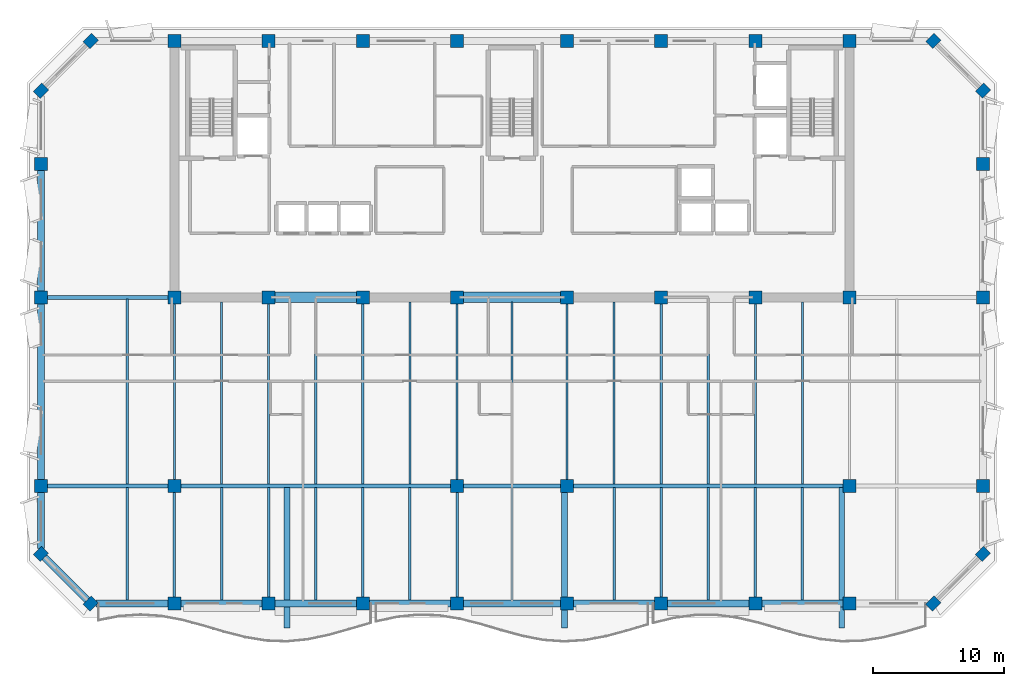
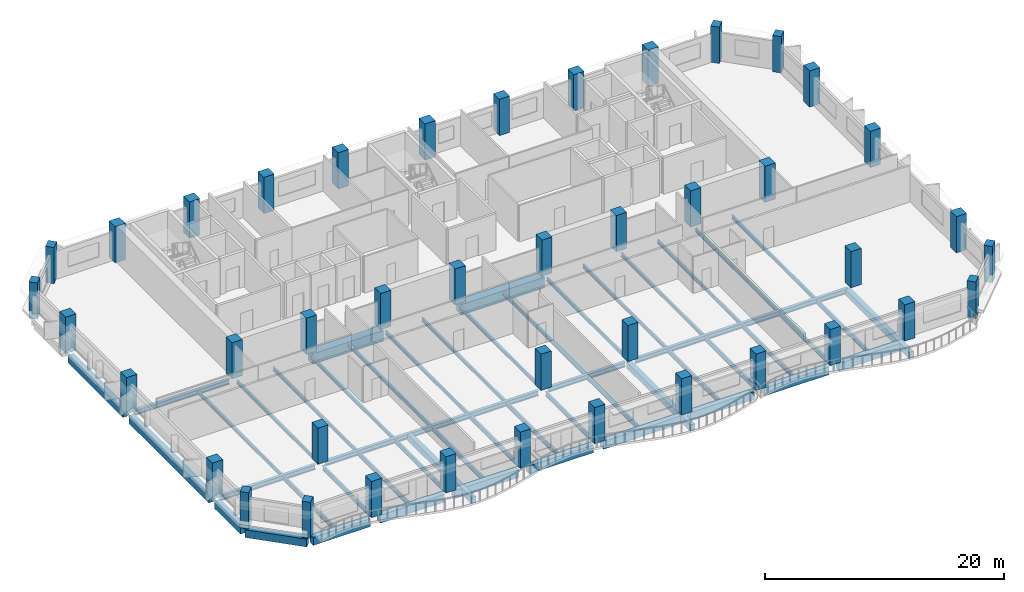
# One storey, part 1 of 11: 51 beams, 42 columns.
"""IFC4 building model written with IfcOpenShell, lengths in metres."""

from ifc_helpers import new_model, si_unit, direction, frame, origin, origin_2d, place, context, subcontext, project, spatial, rectangle, i_section, extrude, material, material_profile, profile_set, type_object, element, save


model = new_model("IFC4")

# Units and contexts
model_context = context("Model", 3, precision=1e-05, world=origin(), true_north=direction((0.0, 1.0)))
body_context = subcontext(model_context, "Body", "Model", "MODEL_VIEW")
ifc_project = project(units=[si_unit("LENGTHUNIT", "METRE"), si_unit("AREAUNIT", "SQUARE_METRE"), si_unit("VOLUMEUNIT", "CUBIC_METRE"), si_unit("PLANEANGLEUNIT", "RADIAN"), si_unit("MASSUNIT", "GRAM", prefix="KILO")], contexts=[model_context])

# Site, building, storey
site_placement = place(None, origin())
site = spatial("IfcSite", under=ifc_project, at=site_placement, CompositionType="ELEMENT")
building_placement = place(site_placement, origin())
building = spatial("IfcBuilding", under=site, at=building_placement, Name="Kaelvorn Grand Hotel", CompositionType="ELEMENT")
storey_placement = place(building_placement, frame((0.0, 0.0, 268.64990234375)))
storey = spatial("IfcBuildingStorey", under=building, at=storey_placement, Name="L66", CompositionType="ELEMENT", Elevation=268.64990234375)

# Columns
ifc_material_1 = material(Name="Concrete C60/75", Category="concrete")
ifc_material_profile_1 = material_profile(ifc_material_1, rectangle(XDim=0.89990234375, YDim=0.75, at=origin_2d()), Name="RC PILASTER 900x750")
ifc_profile_set_1 = profile_set([ifc_material_profile_1], Name="Concrete C60/75")
column_type_1 = type_object("IfcColumnType", Name="COL-PIL-900x750-C60", PredefinedType="PILASTER", material=ifc_profile_set_1)
for number, where, z_axis, x_axis, name in (
    (1, (9.800048828125, 6.0, 0.0), (0.0, 0.0, 1.0), (0.707106781187, 0.707106781187, 0.0), "L66 Structural Column CH-01"),
    (2, (74.199951171875, 6.0, 0.0), (0.0, 0.0, 1.0), (0.707106781187, 0.707106781187, 0.0), "L66 Structural Column CH-02"),
    (3, (78.0, 9.800048828125, 0.0), (0.0, 0.0, 1.0), (0.707106781187, 0.707106781187, 0.0), "L66 Structural Column CH-03"),
    (4, (78.0, 45.199951171875, 0.0), (0.0, 0.0, 1.0), (0.707106781187, 0.707106781187, 0.0), "L66 Structural Column CH-04"),
    (5, (74.199951171875, 49.0, 0.0), (0.0, 0.0, 1.0), (0.707106781187, 0.707106781187, 0.0), "L66 Structural Column CH-05"),
    (6, (9.800048828125, 49.0, 0.0), (0.0, 0.0, 1.0), (0.707106781187, 0.707106781187, 0.0), "L66 Structural Column CH-06"),
    (7, (6.0, 45.199951171875, 0.0), (0.0, 0.0, 1.0), (0.707106781187, 0.707106781187, 0.0), "L66 Structural Column CH-07"),
    (8, (6.0, 9.800048828125, 0.0), (0.0, 0.0, 1.0), (0.707106781187, 0.707106781187, 0.0), "L66 Structural Column CH-08"),
):
    element("IfcColumn", number, at=place(storey_placement, frame(where, z_axis=z_axis, x_axis=x_axis)), inside=storey, type_object=column_type_1, Name=name, PredefinedType="PILASTER", context=body_context, shape_type="SweptSolid", body=[
        extrude(rectangle(XDim=0.89990234375, YDim=0.75, at=origin_2d()), origin(), (0.0, 0.0, 1.0), 3.710205078125),
    ])
ifc_material_2 = material(Name="Concrete C50/60", Category="concrete")
ifc_material_profile_2 = material_profile(ifc_material_2, rectangle(XDim=1.0, YDim=1.0, at=origin_2d()), Name="RC COL 1000x1000")
ifc_profile_set_2 = profile_set([ifc_material_profile_2], Name="Concrete C50/60")
column_type_2 = type_object("IfcColumnType", Name="COL-RC-1000-C50", PredefinedType="COLUMN", material=ifc_profile_set_2)
for number, where, z_axis, x_axis, name in (
    (9, (16.199951171875, 6.0, 0.0), (0.0, 0.0, 1.0), (1.0, 0.0, 0.0), "L66 Structural Column S-01"),
    (10, (23.39990234375, 6.0, 0.0), (0.0, 0.0, 1.0), (1.0, 0.0, 0.0), "L66 Structural Column S-02"),
    (11, (30.60009765625, 6.0, 0.0), (0.0, 0.0, 1.0), (1.0, 0.0, 0.0), "L66 Structural Column S-03"),
    (12, (37.800048828125, 6.0, 0.0), (0.0, 0.0, 1.0), (1.0, 0.0, 0.0), "L66 Structural Column S-04"),
    (13, (46.199951171875, 6.0, 0.0), (0.0, 0.0, 1.0), (1.0, 0.0, 0.0), "L66 Structural Column S-05"),
    (14, (53.39990234375, 6.0, 0.0), (0.0, 0.0, 1.0), (1.0, 0.0, 0.0), "L66 Structural Column S-06"),
    (15, (60.60009765625, 6.0, 0.0), (0.0, 0.0, 1.0), (1.0, 0.0, 0.0), "L66 Structural Column S-07"),
    (16, (67.800048828125, 6.0, 0.0), (0.0, 0.0, 1.0), (1.0, 0.0, 0.0), "L66 Structural Column S-08"),
    (17, (6.0, 15.0, 0.0), (0.0, 0.0, 1.0), (1.0, 0.0, 0.0), "L66 Structural Column W-01"),
    (18, (78.0, 15.0, 0.0), (0.0, 0.0, 1.0), (1.0, 0.0, 0.0), "L66 Structural Column E-01"),
    (19, (6.0, 29.39990234375, 0.0), (0.0, 0.0, 1.0), (1.0, 0.0, 0.0), "L66 Structural Column W-02"),
    (20, (78.0, 29.39990234375, 0.0), (0.0, 0.0, 1.0), (1.0, 0.0, 0.0), "L66 Structural Column E-02"),
    (21, (6.0, 39.60009765625, 0.0), (0.0, 0.0, 1.0), (1.0, 0.0, 0.0), "L66 Structural Column W-03"),
    (22, (78.0, 39.60009765625, 0.0), (0.0, 0.0, 1.0), (1.0, 0.0, 0.0), "L66 Structural Column E-03"),
    (23, (16.199951171875, 15.0, 0.0), (0.0, 0.0, 1.0), (1.0, 0.0, 0.0), "L66 Structural Column M-01"),
    (24, (37.800048828125, 15.0, 0.0), (0.0, 0.0, 1.0), (1.0, 0.0, 0.0), "L66 Structural Column M-02"),
    (25, (46.199951171875, 15.0, 0.0), (0.0, 0.0, 1.0), (1.0, 0.0, 0.0), "L66 Structural Column M-03"),
    (26, (67.800048828125, 15.0, 0.0), (0.0, 0.0, 1.0), (1.0, 0.0, 0.0), "L66 Structural Column M-04"),
    (27, (16.199951171875, 29.39990234375, 0.0), (0.0, 0.0, 1.0), (1.0, 0.0, 0.0), "L66 Structural Column CR1-01"),
    (28, (16.199951171875, 49.0, 0.0), (0.0, 0.0, 1.0), (1.0, 0.0, 0.0), "L66 Structural Column CR2-01"),
    (29, (23.39990234375, 29.39990234375, 0.0), (0.0, 0.0, 1.0), (1.0, 0.0, 0.0), "L66 Structural Column CR1-02"),
    (30, (23.39990234375, 49.0, 0.0), (0.0, 0.0, 1.0), (1.0, 0.0, 0.0), "L66 Structural Column CR2-02"),
    (31, (30.60009765625, 29.39990234375, 0.0), (0.0, 0.0, 1.0), (1.0, 0.0, 0.0), "L66 Structural Column CR1-03"),
    (32, (30.60009765625, 49.0, 0.0), (0.0, 0.0, 1.0), (1.0, 0.0, 0.0), "L66 Structural Column CR2-03"),
    (33, (37.800048828125, 29.39990234375, 0.0), (0.0, 0.0, 1.0), (1.0, 0.0, 0.0), "L66 Structural Column CR1-04"),
    (34, (37.800048828125, 49.0, 0.0), (0.0, 0.0, 1.0), (1.0, 0.0, 0.0), "L66 Structural Column CR2-04"),
    (35, (46.199951171875, 29.39990234375, 0.0), (0.0, 0.0, 1.0), (1.0, 0.0, 0.0), "L66 Structural Column CR1-05"),
    (36, (46.199951171875, 49.0, 0.0), (0.0, 0.0, 1.0), (1.0, 0.0, 0.0), "L66 Structural Column CR2-05"),
    (37, (53.39990234375, 29.39990234375, 0.0), (0.0, 0.0, 1.0), (1.0, 0.0, 0.0), "L66 Structural Column CR1-06"),
    (38, (53.39990234375, 49.0, 0.0), (0.0, 0.0, 1.0), (1.0, 0.0, 0.0), "L66 Structural Column CR2-06"),
    (39, (60.60009765625, 29.39990234375, 0.0), (0.0, 0.0, 1.0), (1.0, 0.0, 0.0), "L66 Structural Column CR1-07"),
    (40, (60.60009765625, 49.0, 0.0), (0.0, 0.0, 1.0), (1.0, 0.0, 0.0), "L66 Structural Column CR2-07"),
    (41, (67.800048828125, 29.39990234375, 0.0), (0.0, 0.0, 1.0), (1.0, 0.0, 0.0), "L66 Structural Column CR1-08"),
    (42, (67.800048828125, 49.0, 0.0), (0.0, 0.0, 1.0), (1.0, 0.0, 0.0), "L66 Structural Column CR2-08"),
):
    element("IfcColumn", number, at=place(storey_placement, frame(where, z_axis=z_axis, x_axis=x_axis)), inside=storey, type_object=column_type_2, Name=name, PredefinedType="COLUMN", context=body_context, shape_type="SweptSolid", body=[
        extrude(rectangle(XDim=1.0, YDim=1.0, at=origin_2d()), origin(), (0.0, 0.0, 1.0), 3.710205078125),
    ])

# Beams
ifc_material_3 = material(Name="Steel S355", Category="steel")
ifc_material_profile_3 = material_profile(ifc_material_3, i_section(OverallWidth=0.300048828125, OverallDepth=0.5, WebThickness=0.014404296875, FlangeThickness=0.028076171875, FilletRadius=0.027099609375, at=origin_2d()), Name="HEB 500")
ifc_profile_set_3 = profile_set([ifc_material_profile_3], Name="Steel S355")
beam_type_1 = type_object("IfcBeamType", Name="BM-G-HEB500-S355", PredefinedType="BEAM", material=ifc_profile_set_3)
beam_1_placement = place(storey_placement, frame((6.485107421875, 15.0, -0.489990234375), z_axis=(1.0, 0.0, 0.0), x_axis=(0.0, 1.0, 0.0)))
element("IfcBeam", 43, at=beam_1_placement, inside=storey, type_object=beam_type_1, Name="L66 Primary Spine Steel Girder G-15 01", PredefinedType="BEAM", context=body_context, shape_type="SweptSolid", body=[
    extrude(i_section(OverallWidth=0.300048828125, OverallDepth=0.5, WebThickness=0.014404296875, FlangeThickness=0.028076171875, FilletRadius=0.027099609375, at=origin_2d()), origin(), (0.0, 0.0, 1.0), 9.22998046875),
])
beam_2_placement = place(storey_placement, frame((16.68505859375, 15.0, -0.489990234375), z_axis=(1.0, 0.0, 0.0), x_axis=(0.0, 1.0, 0.0)))
element("IfcBeam", 44, at=beam_2_placement, inside=storey, type_object=beam_type_1, Name="L66 Primary Spine Steel Girder G-15 02", PredefinedType="BEAM", context=body_context, shape_type="SweptSolid", body=[
    extrude(i_section(OverallWidth=0.300048828125, OverallDepth=0.5, WebThickness=0.014404296875, FlangeThickness=0.028076171875, FilletRadius=0.027099609375, at=origin_2d()), origin(), (0.0, 0.0, 1.0), 20.6298828125),
])
beam_3_placement = place(storey_placement, frame((38.284912109375, 15.0, -0.489990234375), z_axis=(1.0, 0.0, 0.0), x_axis=(0.0, 1.0, 0.0)))
element("IfcBeam", 45, at=beam_3_placement, inside=storey, type_object=beam_type_1, Name="L66 Primary Spine Steel Girder G-15 03", PredefinedType="BEAM", context=body_context, shape_type="SweptSolid", body=[
    extrude(i_section(OverallWidth=0.300048828125, OverallDepth=0.5, WebThickness=0.014404296875, FlangeThickness=0.028076171875, FilletRadius=0.027099609375, at=origin_2d()), origin(), (0.0, 0.0, 1.0), 7.43017578125),
])
beam_4_placement = place(storey_placement, frame((46.68505859375, 15.0, -0.489990234375), z_axis=(1.0, 0.0, 0.0), x_axis=(0.0, 1.0, 0.0)))
element("IfcBeam", 46, at=beam_4_placement, inside=storey, type_object=beam_type_1, Name="L66 Primary Spine Steel Girder G-15 04", PredefinedType="BEAM", context=body_context, shape_type="SweptSolid", body=[
    extrude(i_section(OverallWidth=0.300048828125, OverallDepth=0.5, WebThickness=0.014404296875, FlangeThickness=0.028076171875, FilletRadius=0.027099609375, at=origin_2d()), origin(), (0.0, 0.0, 1.0), 20.6298828125),
])
beam_5_placement = place(storey_placement, frame((6.485107421875, 29.39990234375, -0.489990234375), z_axis=(1.0, 0.0, 0.0), x_axis=(0.0, 1.0, 0.0)))
element("IfcBeam", 47, at=beam_5_placement, inside=storey, type_object=beam_type_1, Name="L66 West Core Wing Steel Girder G-29W 01", PredefinedType="BEAM", context=body_context, shape_type="SweptSolid", body=[
    extrude(i_section(OverallWidth=0.300048828125, OverallDepth=0.5, WebThickness=0.014404296875, FlangeThickness=0.028076171875, FilletRadius=0.027099609375, at=origin_2d()), origin(), (0.0, 0.0, 1.0), 9.22998046875),
])
ifc_material_profile_4 = material_profile(ifc_material_3, i_section(OverallWidth=0.169921875, OverallDepth=0.360107421875, WebThickness=0.008056640625, FlangeThickness=0.0126953125, FilletRadius=0.01806640625, at=origin_2d()), Name="IPE 360")
ifc_profile_set_4 = profile_set([ifc_material_profile_4], Name="Steel S355")
beam_type_2 = type_object("IfcBeamType", Name="BM-J-IPE360-S355", PredefinedType="JOIST", material=ifc_profile_set_4)
beam_6_placement = place(storey_placement, frame((12.60009765625, 15.135009765625, -0.419921875), z_axis=(0.0, 1.0, 0.0), x_axis=(-1.0, 0.0, 0.0)))
element("IfcBeam", 48, at=beam_6_placement, inside=storey, type_object=beam_type_2, Name="L66 Composite Floor Joist JM-04", PredefinedType="JOIST", context=body_context, shape_type="SweptSolid", body=[
    extrude(i_section(OverallWidth=0.169921875, OverallDepth=0.360107421875, WebThickness=0.008056640625, FlangeThickness=0.0126953125, FilletRadius=0.01806640625, at=origin_2d()), origin(), (0.0, 0.0, 1.0), 14.1298828125),
])
beam_7_placement = place(storey_placement, frame((16.199951171875, 15.485107421875, -0.419921875), z_axis=(0.0, 1.0, 0.0), x_axis=(-1.0, 0.0, 0.0)))
element("IfcBeam", 49, at=beam_7_placement, inside=storey, type_object=beam_type_2, Name="L66 Composite Floor Joist JM-05", PredefinedType="JOIST", context=body_context, shape_type="SweptSolid", body=[
    extrude(i_section(OverallWidth=0.169921875, OverallDepth=0.360107421875, WebThickness=0.008056640625, FlangeThickness=0.0126953125, FilletRadius=0.01806640625, at=origin_2d()), origin(), (0.0, 0.0, 1.0), 13.429931640625),
])
beam_8_placement = place(storey_placement, frame((19.800048828125, 15.135009765625, -0.419921875), z_axis=(0.0, 1.0, 0.0), x_axis=(-1.0, 0.0, 0.0)))
element("IfcBeam", 50, at=beam_8_placement, inside=storey, type_object=beam_type_2, Name="L66 Composite Floor Joist JM-06", PredefinedType="JOIST", context=body_context, shape_type="SweptSolid", body=[
    extrude(i_section(OverallWidth=0.169921875, OverallDepth=0.360107421875, WebThickness=0.008056640625, FlangeThickness=0.0126953125, FilletRadius=0.01806640625, at=origin_2d()), origin(), (0.0, 0.0, 1.0), 13.925048828125),
])
beam_9_placement = place(storey_placement, frame((23.39990234375, 15.135009765625, -0.419921875), z_axis=(0.0, 1.0, 0.0), x_axis=(-1.0, 0.0, 0.0)))
element("IfcBeam", 51, at=beam_9_placement, inside=storey, type_object=beam_type_2, Name="L66 Composite Floor Joist JM-07", PredefinedType="JOIST", context=body_context, shape_type="SweptSolid", body=[
    extrude(i_section(OverallWidth=0.169921875, OverallDepth=0.360107421875, WebThickness=0.008056640625, FlangeThickness=0.0126953125, FilletRadius=0.01806640625, at=origin_2d()), origin(), (0.0, 0.0, 1.0), 13.780029296875),
])
beam_10_placement = place(storey_placement, frame((27.0, 15.135009765625, -0.419921875), z_axis=(0.0, 1.0, 0.0), x_axis=(-1.0, 0.0, 0.0)))
element("IfcBeam", 52, at=beam_10_placement, inside=storey, type_object=beam_type_2, Name="L66 Composite Floor Joist JM-08", PredefinedType="JOIST", context=body_context, shape_type="SweptSolid", body=[
    extrude(i_section(OverallWidth=0.169921875, OverallDepth=0.360107421875, WebThickness=0.008056640625, FlangeThickness=0.0126953125, FilletRadius=0.01806640625, at=origin_2d()), origin(), (0.0, 0.0, 1.0), 13.925048828125),
])
beam_11_placement = place(storey_placement, frame((30.60009765625, 15.135009765625, -0.419921875), z_axis=(0.0, 1.0, 0.0), x_axis=(-1.0, 0.0, 0.0)))
element("IfcBeam", 53, at=beam_11_placement, inside=storey, type_object=beam_type_2, Name="L66 Composite Floor Joist JM-09", PredefinedType="JOIST", context=body_context, shape_type="SweptSolid", body=[
    extrude(i_section(OverallWidth=0.169921875, OverallDepth=0.360107421875, WebThickness=0.008056640625, FlangeThickness=0.0126953125, FilletRadius=0.01806640625, at=origin_2d()), origin(), (0.0, 0.0, 1.0), 13.780029296875),
])
beam_12_placement = place(storey_placement, frame((34.199951171875, 15.135009765625, -0.419921875), z_axis=(0.0, 1.0, 0.0), x_axis=(-1.0, 0.0, 0.0)))
element("IfcBeam", 54, at=beam_12_placement, inside=storey, type_object=beam_type_2, Name="L66 Composite Floor Joist JM-10", PredefinedType="JOIST", context=body_context, shape_type="SweptSolid", body=[
    extrude(i_section(OverallWidth=0.169921875, OverallDepth=0.360107421875, WebThickness=0.008056640625, FlangeThickness=0.0126953125, FilletRadius=0.01806640625, at=origin_2d()), origin(), (0.0, 0.0, 1.0), 13.925048828125),
])
beam_13_placement = place(storey_placement, frame((37.800048828125, 15.485107421875, -0.419921875), z_axis=(0.0, 1.0, 0.0), x_axis=(-1.0, 0.0, 0.0)))
element("IfcBeam", 55, at=beam_13_placement, inside=storey, type_object=beam_type_2, Name="L66 Composite Floor Joist JM-11", PredefinedType="JOIST", context=body_context, shape_type="SweptSolid", body=[
    extrude(i_section(OverallWidth=0.169921875, OverallDepth=0.360107421875, WebThickness=0.008056640625, FlangeThickness=0.0126953125, FilletRadius=0.01806640625, at=origin_2d()), origin(), (0.0, 0.0, 1.0), 13.429931640625),
])
beam_14_placement = place(storey_placement, frame((42.0, 15.135009765625, -0.419921875), z_axis=(0.0, 1.0, 0.0), x_axis=(-1.0, 0.0, 0.0)))
element("IfcBeam", 56, at=beam_14_placement, inside=storey, type_object=beam_type_2, Name="L66 Composite Floor Joist JM-12", PredefinedType="JOIST", context=body_context, shape_type="SweptSolid", body=[
    extrude(i_section(OverallWidth=0.169921875, OverallDepth=0.360107421875, WebThickness=0.008056640625, FlangeThickness=0.0126953125, FilletRadius=0.01806640625, at=origin_2d()), origin(), (0.0, 0.0, 1.0), 13.925048828125),
])
beam_15_placement = place(storey_placement, frame((46.199951171875, 15.485107421875, -0.419921875), z_axis=(0.0, 1.0, 0.0), x_axis=(-1.0, 0.0, 0.0)))
element("IfcBeam", 57, at=beam_15_placement, inside=storey, type_object=beam_type_2, Name="L66 Composite Floor Joist JM-13", PredefinedType="JOIST", context=body_context, shape_type="SweptSolid", body=[
    extrude(i_section(OverallWidth=0.169921875, OverallDepth=0.360107421875, WebThickness=0.008056640625, FlangeThickness=0.0126953125, FilletRadius=0.01806640625, at=origin_2d()), origin(), (0.0, 0.0, 1.0), 13.429931640625),
])
beam_16_placement = place(storey_placement, frame((49.800048828125, 15.135009765625, -0.419921875), z_axis=(0.0, 1.0, 0.0), x_axis=(-1.0, 0.0, 0.0)))
element("IfcBeam", 58, at=beam_16_placement, inside=storey, type_object=beam_type_2, Name="L66 Composite Floor Joist JM-14", PredefinedType="JOIST", context=body_context, shape_type="SweptSolid", body=[
    extrude(i_section(OverallWidth=0.169921875, OverallDepth=0.360107421875, WebThickness=0.008056640625, FlangeThickness=0.0126953125, FilletRadius=0.01806640625, at=origin_2d()), origin(), (0.0, 0.0, 1.0), 13.925048828125),
])
beam_17_placement = place(storey_placement, frame((53.39990234375, 15.135009765625, -0.419921875), z_axis=(0.0, 1.0, 0.0), x_axis=(-1.0, 0.0, 0.0)))
element("IfcBeam", 59, at=beam_17_placement, inside=storey, type_object=beam_type_2, Name="L66 Composite Floor Joist JM-15", PredefinedType="JOIST", context=body_context, shape_type="SweptSolid", body=[
    extrude(i_section(OverallWidth=0.169921875, OverallDepth=0.360107421875, WebThickness=0.008056640625, FlangeThickness=0.0126953125, FilletRadius=0.01806640625, at=origin_2d()), origin(), (0.0, 0.0, 1.0), 13.780029296875),
])
beam_18_placement = place(storey_placement, frame((57.0, 15.135009765625, -0.419921875), z_axis=(0.0, 1.0, 0.0), x_axis=(-1.0, 0.0, 0.0)))
element("IfcBeam", 60, at=beam_18_placement, inside=storey, type_object=beam_type_2, Name="L66 Composite Floor Joist JM-16", PredefinedType="JOIST", context=body_context, shape_type="SweptSolid", body=[
    extrude(i_section(OverallWidth=0.169921875, OverallDepth=0.360107421875, WebThickness=0.008056640625, FlangeThickness=0.0126953125, FilletRadius=0.01806640625, at=origin_2d()), origin(), (0.0, 0.0, 1.0), 13.925048828125),
])
beam_19_placement = place(storey_placement, frame((60.60009765625, 15.135009765625, -0.419921875), z_axis=(0.0, 1.0, 0.0), x_axis=(-1.0, 0.0, 0.0)))
element("IfcBeam", 61, at=beam_19_placement, inside=storey, type_object=beam_type_2, Name="L66 Composite Floor Joist JM-17", PredefinedType="JOIST", context=body_context, shape_type="SweptSolid", body=[
    extrude(i_section(OverallWidth=0.169921875, OverallDepth=0.360107421875, WebThickness=0.008056640625, FlangeThickness=0.0126953125, FilletRadius=0.01806640625, at=origin_2d()), origin(), (0.0, 0.0, 1.0), 13.780029296875),
])
beam_20_placement = place(storey_placement, frame((64.199951171875, 15.135009765625, -0.419921875), z_axis=(0.0, 1.0, 0.0), x_axis=(-1.0, 0.0, 0.0)))
element("IfcBeam", 62, at=beam_20_placement, inside=storey, type_object=beam_type_2, Name="L66 Composite Floor Joist JM-18", PredefinedType="JOIST", context=body_context, shape_type="SweptSolid", body=[
    extrude(i_section(OverallWidth=0.169921875, OverallDepth=0.360107421875, WebThickness=0.008056640625, FlangeThickness=0.0126953125, FilletRadius=0.01806640625, at=origin_2d()), origin(), (0.0, 0.0, 1.0), 13.925048828125),
])
ifc_material_profile_5 = material_profile(ifc_material_3, i_section(OverallWidth=0.18994140625, OverallDepth=0.449951171875, WebThickness=0.009521484375, FlangeThickness=0.0146484375, FilletRadius=0.02099609375, at=origin_2d()), Name="IPE 450")
ifc_profile_set_5 = profile_set([ifc_material_profile_5], Name="Steel S355")
beam_type_3 = type_object("IfcBeamType", Name="BM-J-IPE450-S355", PredefinedType="JOIST", material=ifc_profile_set_5)
beam_21_placement = place(storey_placement, frame((12.60009765625, 6.260009765625, -0.46484375), z_axis=(0.0, 1.0, 0.0), x_axis=(-1.0, 0.0, 0.0)))
element("IfcBeam", 63, at=beam_21_placement, inside=storey, type_object=beam_type_3, Name="L66 Composite Floor Joist JS-04", PredefinedType="JOIST", context=body_context, shape_type="SweptSolid", body=[
    extrude(i_section(OverallWidth=0.18994140625, OverallDepth=0.449951171875, WebThickness=0.009521484375, FlangeThickness=0.0146484375, FilletRadius=0.02099609375, at=origin_2d()), origin(), (0.0, 0.0, 1.0), 8.60498046875),
])
beam_22_placement = place(storey_placement, frame((16.199951171875, 6.485107421875, -0.46484375), z_axis=(0.0, 1.0, 0.0), x_axis=(-1.0, 0.0, 0.0)))
element("IfcBeam", 64, at=beam_22_placement, inside=storey, type_object=beam_type_3, Name="L66 Composite Floor Joist JS-05", PredefinedType="JOIST", context=body_context, shape_type="SweptSolid", body=[
    extrude(i_section(OverallWidth=0.18994140625, OverallDepth=0.449951171875, WebThickness=0.009521484375, FlangeThickness=0.0146484375, FilletRadius=0.02099609375, at=origin_2d()), origin(), (0.0, 0.0, 1.0), 8.02978515625),
])
beam_23_placement = place(storey_placement, frame((19.800048828125, 6.260009765625, -0.46484375), z_axis=(0.0, 1.0, 0.0), x_axis=(-1.0, 0.0, 0.0)))
element("IfcBeam", 65, at=beam_23_placement, inside=storey, type_object=beam_type_3, Name="L66 Composite Floor Joist JS-06", PredefinedType="JOIST", context=body_context, shape_type="SweptSolid", body=[
    extrude(i_section(OverallWidth=0.18994140625, OverallDepth=0.449951171875, WebThickness=0.009521484375, FlangeThickness=0.0146484375, FilletRadius=0.02099609375, at=origin_2d()), origin(), (0.0, 0.0, 1.0), 8.60498046875),
])
beam_24_placement = place(storey_placement, frame((23.39990234375, 6.485107421875, -0.46484375), z_axis=(0.0, 1.0, 0.0), x_axis=(-1.0, 0.0, 0.0)))
element("IfcBeam", 66, at=beam_24_placement, inside=storey, type_object=beam_type_3, Name="L66 Composite Floor Joist JS-07", PredefinedType="JOIST", context=body_context, shape_type="SweptSolid", body=[
    extrude(i_section(OverallWidth=0.18994140625, OverallDepth=0.449951171875, WebThickness=0.009521484375, FlangeThickness=0.0146484375, FilletRadius=0.02099609375, at=origin_2d()), origin(), (0.0, 0.0, 1.0), 8.3798828125),
])
beam_25_placement = place(storey_placement, frame((27.0, 6.260009765625, -0.46484375), z_axis=(0.0, 1.0, 0.0), x_axis=(-1.0, 0.0, 0.0)))
element("IfcBeam", 67, at=beam_25_placement, inside=storey, type_object=beam_type_3, Name="L66 Composite Floor Joist JS-08", PredefinedType="JOIST", context=body_context, shape_type="SweptSolid", body=[
    extrude(i_section(OverallWidth=0.18994140625, OverallDepth=0.449951171875, WebThickness=0.009521484375, FlangeThickness=0.0146484375, FilletRadius=0.02099609375, at=origin_2d()), origin(), (0.0, 0.0, 1.0), 8.60498046875),
])
beam_26_placement = place(storey_placement, frame((30.60009765625, 6.485107421875, -0.46484375), z_axis=(0.0, 1.0, 0.0), x_axis=(-1.0, 0.0, 0.0)))
element("IfcBeam", 68, at=beam_26_placement, inside=storey, type_object=beam_type_3, Name="L66 Composite Floor Joist JS-09", PredefinedType="JOIST", context=body_context, shape_type="SweptSolid", body=[
    extrude(i_section(OverallWidth=0.18994140625, OverallDepth=0.449951171875, WebThickness=0.009521484375, FlangeThickness=0.0146484375, FilletRadius=0.02099609375, at=origin_2d()), origin(), (0.0, 0.0, 1.0), 8.3798828125),
])
beam_27_placement = place(storey_placement, frame((34.199951171875, 6.260009765625, -0.46484375), z_axis=(0.0, 1.0, 0.0), x_axis=(-1.0, 0.0, 0.0)))
element("IfcBeam", 69, at=beam_27_placement, inside=storey, type_object=beam_type_3, Name="L66 Composite Floor Joist JS-10", PredefinedType="JOIST", context=body_context, shape_type="SweptSolid", body=[
    extrude(i_section(OverallWidth=0.18994140625, OverallDepth=0.449951171875, WebThickness=0.009521484375, FlangeThickness=0.0146484375, FilletRadius=0.02099609375, at=origin_2d()), origin(), (0.0, 0.0, 1.0), 8.60498046875),
])
beam_28_placement = place(storey_placement, frame((37.800048828125, 6.485107421875, -0.46484375), z_axis=(0.0, 1.0, 0.0), x_axis=(-1.0, 0.0, 0.0)))
element("IfcBeam", 70, at=beam_28_placement, inside=storey, type_object=beam_type_3, Name="L66 Composite Floor Joist JS-11", PredefinedType="JOIST", context=body_context, shape_type="SweptSolid", body=[
    extrude(i_section(OverallWidth=0.18994140625, OverallDepth=0.449951171875, WebThickness=0.009521484375, FlangeThickness=0.0146484375, FilletRadius=0.02099609375, at=origin_2d()), origin(), (0.0, 0.0, 1.0), 8.02978515625),
])
for number, where, z_axis, x_axis, name in (
    (71, (42.0, 6.260009765625, -0.46484375), (0.0, 1.0, 0.0), (-1.0, 0.0, 0.0), "L66 Composite Floor Joist JS-12"),
    (72, (49.800048828125, 6.260009765625, -0.46484375), (0.0, 1.0, 0.0), (-1.0, 0.0, 0.0), "L66 Composite Floor Joist JS-14"),
):
    element("IfcBeam", number, at=place(storey_placement, frame(where, z_axis=z_axis, x_axis=x_axis)), inside=storey, type_object=beam_type_3, Name=name, PredefinedType="JOIST", context=body_context, shape_type="SweptSolid", body=[
        extrude(i_section(OverallWidth=0.18994140625, OverallDepth=0.449951171875, WebThickness=0.009521484375, FlangeThickness=0.0146484375, FilletRadius=0.02099609375, at=origin_2d()), origin(), (0.0, 0.0, 1.0), 8.60498046875),
    ])
beam_29_placement = place(storey_placement, frame((53.39990234375, 6.485107421875, -0.46484375), z_axis=(0.0, 1.0, 0.0), x_axis=(-1.0, 0.0, 0.0)))
element("IfcBeam", 73, at=beam_29_placement, inside=storey, type_object=beam_type_3, Name="L66 Composite Floor Joist JS-15", PredefinedType="JOIST", context=body_context, shape_type="SweptSolid", body=[
    extrude(i_section(OverallWidth=0.18994140625, OverallDepth=0.449951171875, WebThickness=0.009521484375, FlangeThickness=0.0146484375, FilletRadius=0.02099609375, at=origin_2d()), origin(), (0.0, 0.0, 1.0), 8.3798828125),
])
beam_30_placement = place(storey_placement, frame((57.0, 6.260009765625, -0.46484375), z_axis=(0.0, 1.0, 0.0), x_axis=(-1.0, 0.0, 0.0)))
element("IfcBeam", 74, at=beam_30_placement, inside=storey, type_object=beam_type_3, Name="L66 Composite Floor Joist JS-16", PredefinedType="JOIST", context=body_context, shape_type="SweptSolid", body=[
    extrude(i_section(OverallWidth=0.18994140625, OverallDepth=0.449951171875, WebThickness=0.009521484375, FlangeThickness=0.0146484375, FilletRadius=0.02099609375, at=origin_2d()), origin(), (0.0, 0.0, 1.0), 8.60498046875),
])
beam_31_placement = place(storey_placement, frame((60.60009765625, 6.485107421875, -0.46484375), z_axis=(0.0, 1.0, 0.0), x_axis=(-1.0, 0.0, 0.0)))
element("IfcBeam", 75, at=beam_31_placement, inside=storey, type_object=beam_type_3, Name="L66 Composite Floor Joist JS-17", PredefinedType="JOIST", context=body_context, shape_type="SweptSolid", body=[
    extrude(i_section(OverallWidth=0.18994140625, OverallDepth=0.449951171875, WebThickness=0.009521484375, FlangeThickness=0.0146484375, FilletRadius=0.02099609375, at=origin_2d()), origin(), (0.0, 0.0, 1.0), 8.3798828125),
])
beam_32_placement = place(storey_placement, frame((64.199951171875, 6.260009765625, -0.46484375), z_axis=(0.0, 1.0, 0.0), x_axis=(-1.0, 0.0, 0.0)))
element("IfcBeam", 76, at=beam_32_placement, inside=storey, type_object=beam_type_3, Name="L66 Composite Floor Joist JS-18", PredefinedType="JOIST", context=body_context, shape_type="SweptSolid", body=[
    extrude(i_section(OverallWidth=0.18994140625, OverallDepth=0.449951171875, WebThickness=0.009521484375, FlangeThickness=0.0146484375, FilletRadius=0.02099609375, at=origin_2d()), origin(), (0.0, 0.0, 1.0), 8.60498046875),
])
ifc_material_profile_6 = material_profile(ifc_material_1, rectangle(XDim=0.800048828125, YDim=1.10009765625, at=origin_2d()), Name="RC LINTEL 800x1100")
ifc_profile_set_6 = profile_set([ifc_material_profile_6], Name="Concrete C60/75")
beam_type_4 = type_object("IfcBeamType", Name="BM-LIN-800x1100-C60", PredefinedType="LINTEL", material=ifc_profile_set_6)
beam_33_placement = place(storey_placement, frame((23.580078125, 29.39990234375, -0.789794921875), z_axis=(1.0, 0.0, 0.0), x_axis=(0.0, 1.0, 0.0)))
element("IfcBeam", 77, at=beam_33_placement, inside=storey, type_object=beam_type_4, Name="L66 Rear-Core Coupling Lintel Beam CB1-01", PredefinedType="LINTEL", context=body_context, shape_type="SweptSolid", body=[
    extrude(rectangle(XDim=0.800048828125, YDim=1.10009765625, at=origin_2d()), origin(), (0.0, 0.0, 1.0), 6.83984375),
])
beam_34_placement = place(storey_placement, frame((37.97998046875, 29.39990234375, -0.789794921875), z_axis=(1.0, 0.0, 0.0), x_axis=(0.0, 1.0, 0.0)))
element("IfcBeam", 78, at=beam_34_placement, inside=storey, type_object=beam_type_4, Name="L66 Rear-Core Coupling Lintel Beam CB1-02", PredefinedType="LINTEL", context=body_context, shape_type="SweptSolid", body=[
    extrude(rectangle(XDim=0.800048828125, YDim=1.10009765625, at=origin_2d()), origin(), (0.0, 0.0, 1.0), 8.0400390625),
])
ifc_material_4 = material(Name="Concrete C40/50", Category="concrete")
ifc_material_profile_7 = material_profile(ifc_material_4, rectangle(XDim=0.449951171875, YDim=0.64990234375, at=origin_2d()), Name="RC RIB 450x650")
ifc_profile_set_7 = profile_set([ifc_material_profile_7], Name="Concrete C40/50")
beam_type_5 = type_object("IfcBeamType", Name="BM-RIB-450x650-C40", PredefinedType="SPANDREL", material=ifc_profile_set_7)
for number, where, z_axis, x_axis, name in (
    (79, (24.800048828125, 4.14990234375, -0.544921875), (0.0, 1.0, 0.0), (-1.0, 0.0, 0.0), "L66 Cantilevered Balcony Back-Span Rib RB1-1"),
    (80, (46.0, 4.14990234375, -0.544921875), (0.0, 1.0, 0.0), (-1.0, 0.0, 0.0), "L66 Cantilevered Balcony Back-Span Rib RB1-2"),
    (81, (67.199951171875, 4.14990234375, -0.544921875), (0.0, 1.0, 0.0), (-1.0, 0.0, 0.0), "L66 Cantilevered Balcony Back-Span Rib RB1-3"),
):
    element("IfcBeam", number, at=place(storey_placement, frame(where, z_axis=z_axis, x_axis=x_axis)), inside=storey, type_object=beam_type_5, Name=name, PredefinedType="SPANDREL", context=body_context, shape_type="SweptSolid", body=[
        extrude(rectangle(XDim=0.449951171875, YDim=0.64990234375, at=origin_2d()), origin(), (0.0, 0.0, 1.0), 10.715087890625),
    ])
ifc_material_profile_8 = material_profile(ifc_material_2, rectangle(XDim=0.550048828125, YDim=0.800048828125, at=origin_2d()), Name="RC SPANDREL 550x800")
ifc_profile_set_8 = profile_set([ifc_material_profile_8], Name="Concrete C50/60")
beam_type_6 = type_object("IfcBeamType", Name="BM-SP-550x800-C50", PredefinedType="SPANDREL", material=ifc_profile_set_8)
beam_35_placement = place(storey_placement, frame((10.205078125, 6.0, -0.639892578125), z_axis=(1.0, 0.0, 0.0), x_axis=(0.0, 1.0, 0.0)))
element("IfcBeam", 82, at=beam_35_placement, inside=storey, type_object=beam_type_6, Name="L66 South Perimeter Spandrel 01", PredefinedType="SPANDREL", context=body_context, shape_type="SweptSolid", body=[
    extrude(rectangle(XDim=0.550048828125, YDim=0.800048828125, at=origin_2d()), origin(), (0.0, 0.0, 1.0), 5.510009765625),
])
for number, where, z_axis, x_axis, name in (
    (83, (16.68505859375, 6.0, -0.639892578125), (1.0, 0.0, 0.0), (0.0, 1.0, 0.0), "L66 South Perimeter Spandrel 02"),
    (84, (23.885009765625, 6.0, -0.639892578125), (1.0, 0.0, 0.0), (0.0, 1.0, 0.0), "L66 South Perimeter Spandrel 03"),
    (85, (31.0849609375, 6.0, -0.639892578125), (1.0, 0.0, 0.0), (0.0, 1.0, 0.0), "L66 South Perimeter Spandrel 04"),
):
    element("IfcBeam", number, at=place(storey_placement, frame(where, z_axis=z_axis, x_axis=x_axis)), inside=storey, type_object=beam_type_6, Name=name, PredefinedType="SPANDREL", context=body_context, shape_type="SweptSolid", body=[
        extrude(rectangle(XDim=0.550048828125, YDim=0.800048828125, at=origin_2d()), origin(), (0.0, 0.0, 1.0), 6.22998046875),
    ])
beam_36_placement = place(storey_placement, frame((38.284912109375, 6.0, -0.639892578125), z_axis=(1.0, 0.0, 0.0), x_axis=(0.0, 1.0, 0.0)))
element("IfcBeam", 86, at=beam_36_placement, inside=storey, type_object=beam_type_6, Name="L66 South Perimeter Spandrel 05", PredefinedType="SPANDREL", context=body_context, shape_type="SweptSolid", body=[
    extrude(rectangle(XDim=0.550048828125, YDim=0.800048828125, at=origin_2d()), origin(), (0.0, 0.0, 1.0), 7.43017578125),
])
for number, where, z_axis, x_axis, name in (
    (87, (46.68505859375, 6.0, -0.639892578125), (1.0, 0.0, 0.0), (0.0, 1.0, 0.0), "L66 South Perimeter Spandrel 06"),
    (88, (53.885009765625, 6.0, -0.639892578125), (1.0, 0.0, 0.0), (0.0, 1.0, 0.0), "L66 South Perimeter Spandrel 07"),
    (89, (61.0849609375, 6.0, -0.639892578125), (1.0, 0.0, 0.0), (0.0, 1.0, 0.0), "L66 South Perimeter Spandrel 08"),
):
    element("IfcBeam", number, at=place(storey_placement, frame(where, z_axis=z_axis, x_axis=x_axis)), inside=storey, type_object=beam_type_6, Name=name, PredefinedType="SPANDREL", context=body_context, shape_type="SweptSolid", body=[
        extrude(rectangle(XDim=0.550048828125, YDim=0.800048828125, at=origin_2d()), origin(), (0.0, 0.0, 1.0), 6.22998046875),
    ])
beam_37_placement = place(storey_placement, frame((6.0, 10.205078125, -0.639892578125), z_axis=(0.0, 1.0, 0.0), x_axis=(-1.0, 0.0, 0.0)))
element("IfcBeam", 90, at=beam_37_placement, inside=storey, type_object=beam_type_6, Name="L66 West Perimeter Spandrel 01", PredefinedType="SPANDREL", context=body_context, shape_type="SweptSolid", body=[
    extrude(rectangle(XDim=0.550048828125, YDim=0.800048828125, at=origin_2d()), origin(), (0.0, 0.0, 1.0), 4.309814453125),
])
beam_38_placement = place(storey_placement, frame((6.0, 15.485107421875, -0.639892578125), z_axis=(0.0, 1.0, 0.0), x_axis=(-1.0, 0.0, 0.0)))
element("IfcBeam", 91, at=beam_38_placement, inside=storey, type_object=beam_type_6, Name="L66 West Perimeter Spandrel 02", PredefinedType="SPANDREL", context=body_context, shape_type="SweptSolid", body=[
    extrude(rectangle(XDim=0.550048828125, YDim=0.800048828125, at=origin_2d()), origin(), (0.0, 0.0, 1.0), 13.429931640625),
])
beam_39_placement = place(storey_placement, frame((6.0, 29.885009765625, -0.639892578125), z_axis=(0.0, 1.0, 0.0), x_axis=(-1.0, 0.0, 0.0)))
element("IfcBeam", 92, at=beam_39_placement, inside=storey, type_object=beam_type_6, Name="L66 West Perimeter Spandrel 03", PredefinedType="SPANDREL", context=body_context, shape_type="SweptSolid", body=[
    extrude(rectangle(XDim=0.550048828125, YDim=0.800048828125, at=origin_2d()), origin(), (0.0, 0.0, 1.0), 9.22998046875),
])
beam_40_placement = place(storey_placement, frame((6.0, 9.800048828125, -0.639892578125), z_axis=(0.707106781187, -0.707106781187, 0.0), x_axis=(0.707106781187, 0.707106781187, 0.0)))
element("IfcBeam", 93, at=beam_40_placement, inside=storey, type_object=beam_type_6, Name="L66 Chamfer Spandrel Beam 4", PredefinedType="SPANDREL", context=body_context, shape_type="SweptSolid", body=[
    extrude(rectangle(XDim=0.550048828125, YDim=0.800048828125, at=origin_2d()), origin(), (0.0, 0.0, 1.0), 5.3740234375),
])

save(model, "model.ifc")
